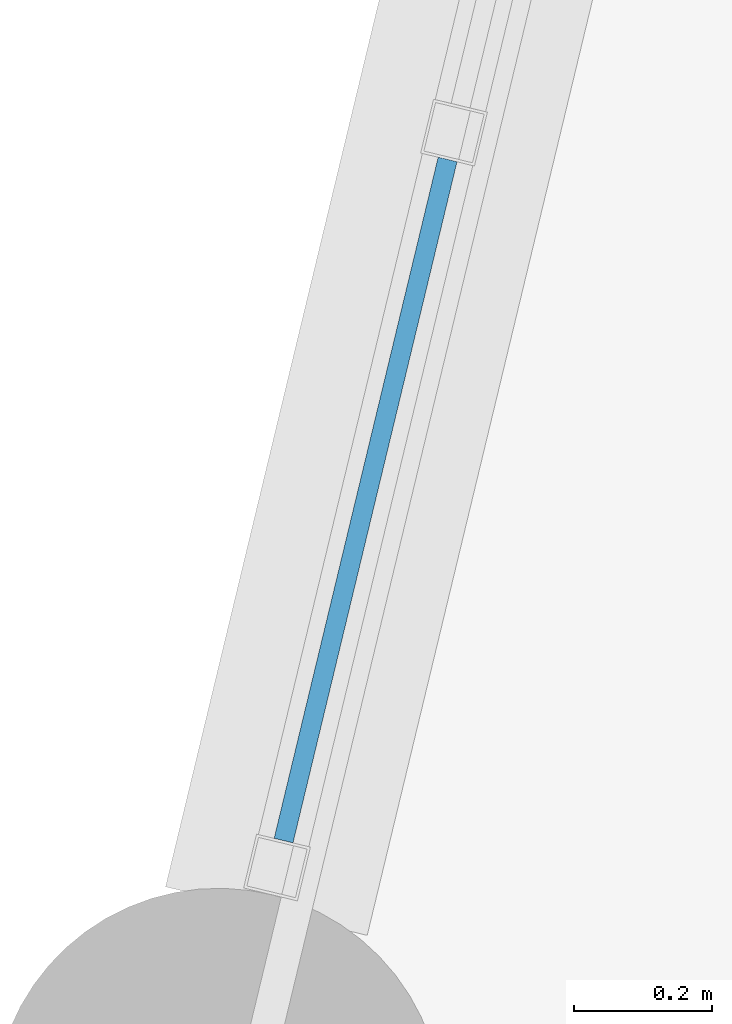
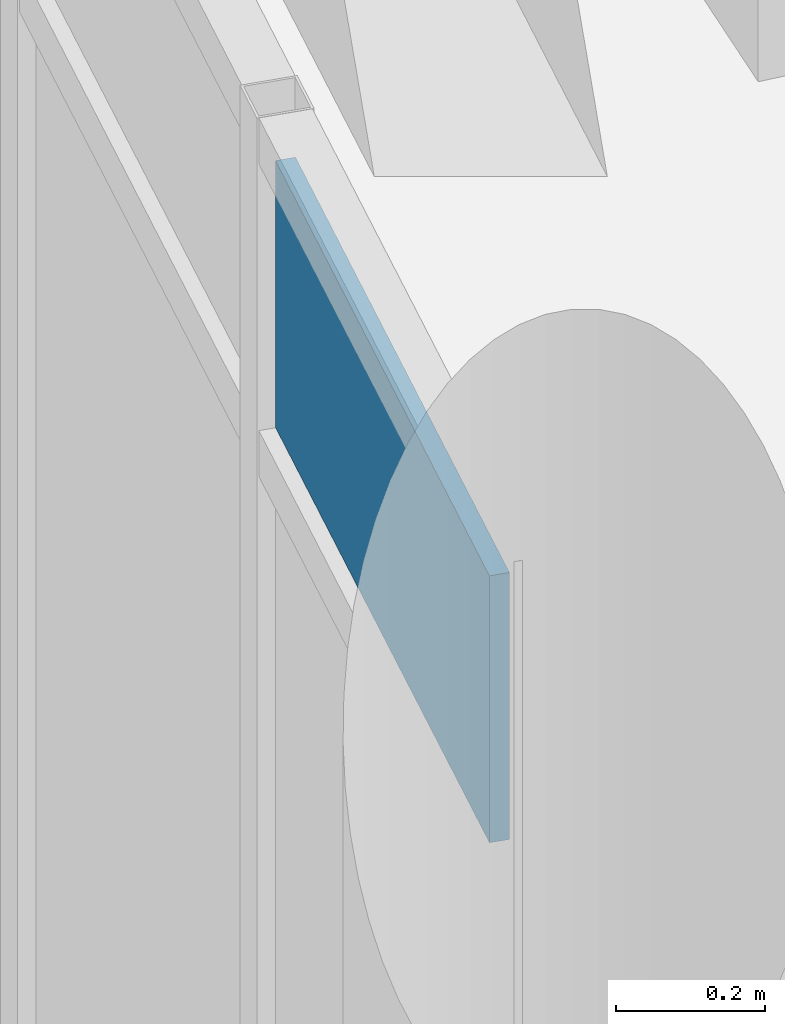
# One storey, part 107 of 159: 1 plate, 1 element without a shape of its own.
"""IFC4 building model written with IfcOpenShell, lengths in metres."""

from ifc_helpers import new_model, si_unit, direction, frame, origin, origin_2d, place, context, subcontext, project, spatial, rectangle, extrude, material, layer, layer_set, type_object, element, aggregate, save


model = new_model("IFC4")

# Units and contexts
model_context = context("Model", 3, precision=1e-05, world=origin(), true_north=direction((0.0, 1.0)))
body_context = subcontext(model_context, "Body", "Model", "MODEL_VIEW")
ifc_project = project(units=[si_unit("LENGTHUNIT", "METRE"), si_unit("AREAUNIT", "SQUARE_METRE"), si_unit("VOLUMEUNIT", "CUBIC_METRE"), si_unit("PLANEANGLEUNIT", "RADIAN"), si_unit("MASSUNIT", "GRAM", prefix="KILO")], contexts=[model_context])

# Site, building, storey
site_placement = place(None, origin())
site = spatial("IfcSite", under=ifc_project, at=site_placement, CompositionType="ELEMENT")
building_placement = place(site_placement, origin())
building = spatial("IfcBuilding", under=site, at=building_placement, Name="Celadon Cloister-Ring School", CompositionType="ELEMENT")
storey_placement = place(building_placement, frame((0.0, 0.0, 4.5)))
storey = spatial("IfcBuildingStorey", under=building, at=storey_placement, Name="L01", CompositionType="ELEMENT", Elevation=4.5)

# Curtain wall, plate
ifc_material_1 = material(Name="Aluminium EN AW-6063 T6", Category="aluminium")
curtain_wall_type = type_object("IfcCurtainWallType", Name="CW-01", PredefinedType="USERDEFINED", material=ifc_material_1)
curtain_wall_placement = place(storey_placement, origin())
curtain_wall = element("IfcCurtainWall", 1, at=curtain_wall_placement, inside=storey, type_object=curtain_wall_type, Name="Curtain Wall 0038", ObjectType="CURTAIN WALL", PredefinedType="USERDEFINED")
ifc_material_2 = material(Name="Tempered laminated insulating glass", Category="glass")
ifc_layer = layer(ifc_material_2, 0.028076171875)
ifc_layer_set = layer_set([ifc_layer], Name="Tempered laminated insulating glass")
plate_type = type_object("IfcPlateType", Name="CPN-02", PredefinedType="CURTAIN_PANEL", material=ifc_layer_set)
plate_placement = place(storey_placement, frame((127.825439453125, 46.859619140625, 3.03759765625), z_axis=(0.0, 0.0, 1.0), x_axis=(0.234100157469, 0.972212485146, 0.0)))
plate = element("IfcPlate", 2, at=plate_placement, type_object=plate_type, Name="CW-01 panel 1.3", PredefinedType="CURTAIN_PANEL", context=body_context, shape_type="SweptSolid", body=[
    extrude(rectangle(XDim=1.013671875, YDim=0.028076171875, at=origin_2d()), origin(), (0.0, 0.0, 1.0), 0.4375),
])
aggregate(curtain_wall, [plate])

save(model, "model.ifc")
